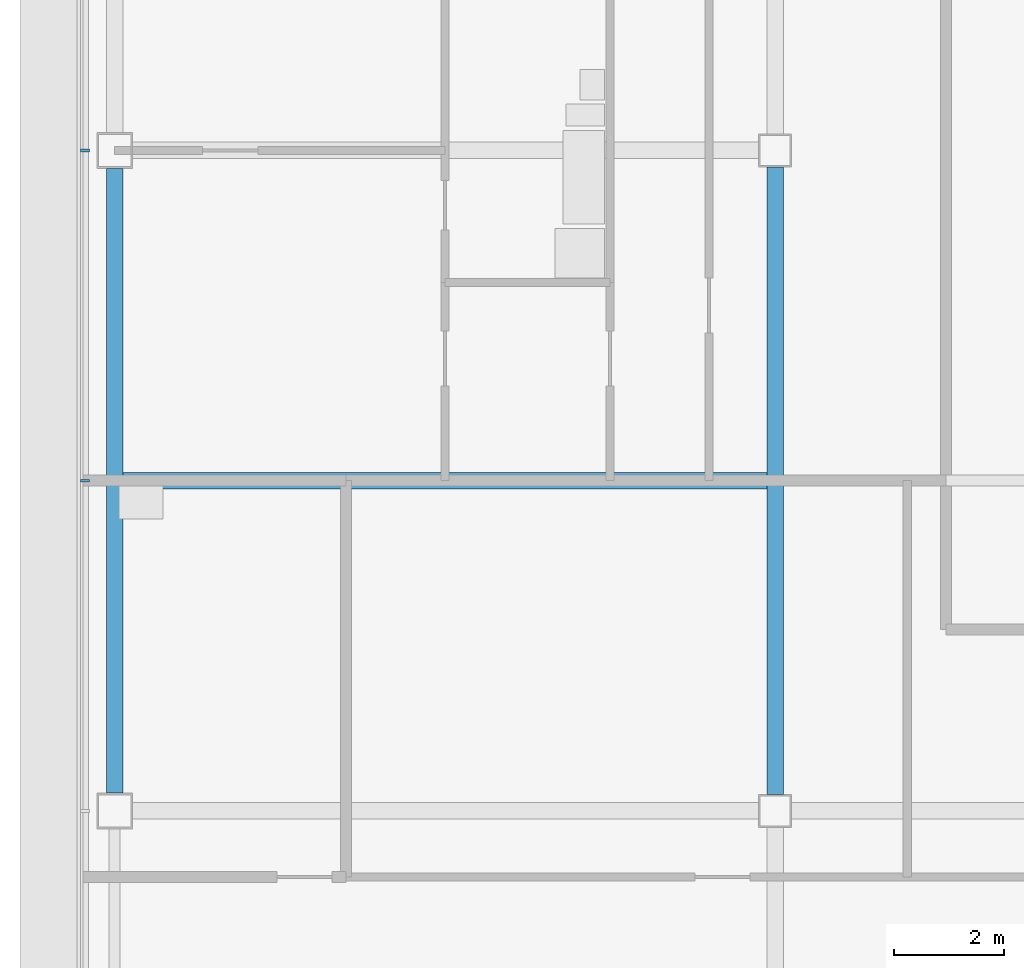
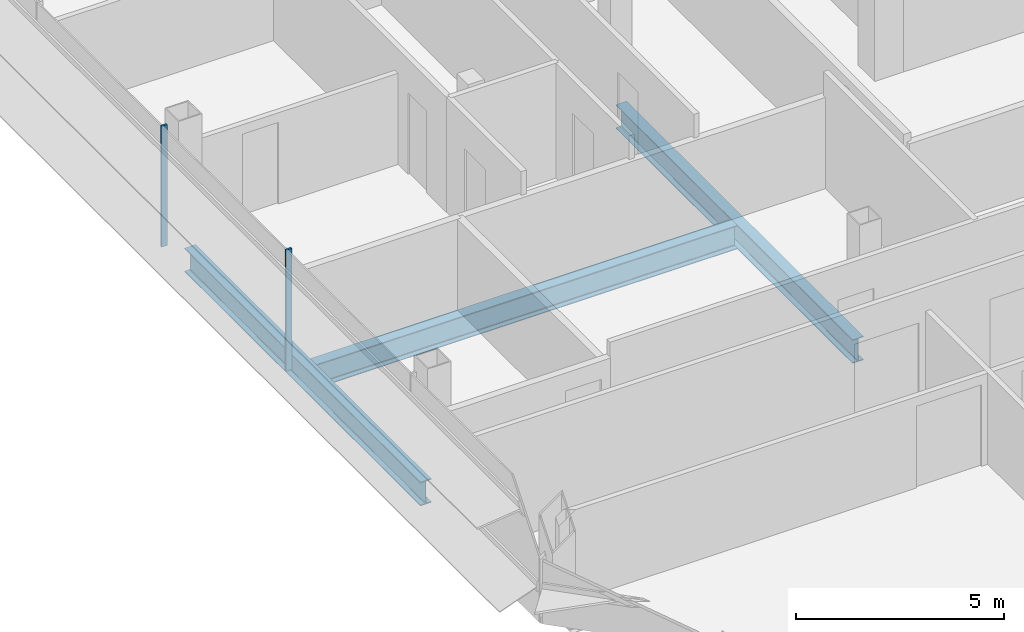
# One storey, part 4 of 27: 3 beams, 2 members, 1 element without a shape of its own.
"""IFC4 building model written with IfcOpenShell, lengths in metres."""

from ifc_helpers import new_model, si_unit, direction, frame, origin, origin_2d, place, context, subcontext, project, spatial, rectangle, i_section, extrude, material, material_profile, profile_set, type_object, element, aggregate, save


model = new_model("IFC4")

# Units and contexts
model_context = context("Model", 3, precision=1e-05, world=origin(), true_north=direction((0.0, 1.0)))
body_context = subcontext(model_context, "Body", "Model", "MODEL_VIEW")
ifc_project = project(units=[si_unit("LENGTHUNIT", "METRE"), si_unit("AREAUNIT", "SQUARE_METRE"), si_unit("VOLUMEUNIT", "CUBIC_METRE"), si_unit("PLANEANGLEUNIT", "RADIAN"), si_unit("MASSUNIT", "GRAM", prefix="KILO")], contexts=[model_context])

# Site, building, storey
site_placement = place(None, origin())
site = spatial("IfcSite", under=ifc_project, at=site_placement, CompositionType="ELEMENT")
building_placement = place(site_placement, origin())
building = spatial("IfcBuilding", under=site, at=building_placement, Name="Sorahane Residences", CompositionType="ELEMENT")
storey_placement = place(building_placement, frame((0.0, 0.0, 206.39990234375)))
storey = spatial("IfcBuildingStorey", under=building, at=storey_placement, Name="L48", CompositionType="ELEMENT", Elevation=206.39990234375)

# Curtain wall, members
ifc_material_1 = material(Name="Dark low-e glass and black anodised aluminium", Category="aluminium")
curtain_wall_type = type_object("IfcCurtainWallType", Name="Curtain wall CW-1 Typical unitised wall", PredefinedType="NOTDEFINED", material=ifc_material_1)
curtain_wall_placement = place(storey_placement, origin())
curtain_wall = element("IfcCurtainWall", 1, at=curtain_wall_placement, inside=storey, type_object=curtain_wall_type, Name="CW-1 curtain wall L48 W1", PredefinedType="NOTDEFINED")
ifc_material_2 = material(Name="Black anodised aluminium", Category="aluminium")
ifc_material_profile_1 = material_profile(ifc_material_2, rectangle(XDim=0.159912109375, YDim=0.050048828125, at=origin_2d()), Name="Curtain wall mullion CW-1 black anodised aluminium 50x160")
ifc_profile_set_1 = profile_set([ifc_material_profile_1], Name="Black anodised aluminium")
member_type = type_object("IfcMemberType", Name="Curtain wall mullion CW-1 black anodised aluminium 50x160", PredefinedType="MULLION", material=ifc_profile_set_1)
member_1_placement = place(storey_placement, frame((-12.5400390625, 24.0, -0.179931640625), z_axis=(0.0, 0.0, 1.0), x_axis=(-1.0, 0.0, 0.0)))
member_1 = element("IfcMember", 2, at=member_1_placement, type_object=member_type, Name="CW-1 mullion L48 W1.4", PredefinedType="MULLION", context=body_context, shape_type="SweptSolid", body=[
    extrude(rectangle(XDim=0.159912109375, YDim=0.050048828125, at=origin_2d()), origin(), (0.0, 0.0, 1.0), 3.56005859375),
])
member_2_placement = place(storey_placement, frame((-12.5400390625, 18.0, -0.179931640625), z_axis=(0.0, 0.0, 1.0), x_axis=(-1.0, 0.0, 0.0)))
member_2 = element("IfcMember", 3, at=member_2_placement, type_object=member_type, Name="CW-1 mullion L48 W1.5", PredefinedType="MULLION", context=body_context, shape_type="SweptSolid", body=[
    extrude(rectangle(XDim=0.159912109375, YDim=0.050048828125, at=origin_2d()), origin(), (0.0, 0.0, 1.0), 3.56005859375),
])
aggregate(curtain_wall, [member_1, member_2])

# Beams
ifc_material_3 = material(Name="Steel Q355B", Category="steel")
ifc_material_profile_2 = material_profile(ifc_material_3, i_section(OverallWidth=0.300048828125, OverallDepth=0.699951171875, WebThickness=0.012939453125, FlangeThickness=0.02392578125, FilletRadius=0.028076171875, at=origin_2d()), Name="HN 700x300x13x24")
ifc_profile_set_2 = profile_set([ifc_material_profile_2], Name="Steel Q355B")
beam_type = type_object("IfcBeamType", Name="Steel floor beam HN 700x300x13x24 Q355B", PredefinedType="BEAM", material=ifc_profile_set_2)
beam_1_placement = place(storey_placement, frame((-12.0, 12.324951171875, -0.52978515625), z_axis=(0.0, 1.0, 0.0), x_axis=(-1.0, 0.0, 0.0)))
element("IfcBeam", 4, at=beam_1_placement, inside=storey, type_object=beam_type, Name="Beam L48 021", PredefinedType="BEAM", context=body_context, shape_type="SweptSolid", body=[
    extrude(i_section(OverallWidth=0.300048828125, OverallDepth=0.699951171875, WebThickness=0.012939453125, FlangeThickness=0.02392578125, FilletRadius=0.028076171875, at=origin_2d()), origin(), (0.0, 0.0, 1.0), 11.35009765625),
])
beam_2_placement = place(storey_placement, frame((0.0, 12.300048828125, -0.52978515625), z_axis=(0.0, 1.0, 0.0), x_axis=(-1.0, 0.0, 0.0)))
element("IfcBeam", 5, at=beam_2_placement, inside=storey, type_object=beam_type, Name="Beam L48 025", PredefinedType="BEAM", context=body_context, shape_type="SweptSolid", body=[
    extrude(i_section(OverallWidth=0.300048828125, OverallDepth=0.699951171875, WebThickness=0.012939453125, FlangeThickness=0.02392578125, FilletRadius=0.028076171875, at=origin_2d()), origin(), (0.0, 0.0, 1.0), 11.39990234375),
])
beam_3_placement = place(storey_placement, frame((-11.85009765625, 18.0, -0.52978515625), z_axis=(1.0, 0.0, 0.0), x_axis=(0.0, 1.0, 0.0)))
element("IfcBeam", 6, at=beam_3_placement, inside=storey, type_object=beam_type, Name="Beam L48 078", PredefinedType="BEAM", context=body_context, shape_type="SweptSolid", body=[
    extrude(i_section(OverallWidth=0.300048828125, OverallDepth=0.699951171875, WebThickness=0.012939453125, FlangeThickness=0.02392578125, FilletRadius=0.028076171875, at=origin_2d()), origin(), (0.0, 0.0, 1.0), 11.7001953125),
])

save(model, "model.ifc")
